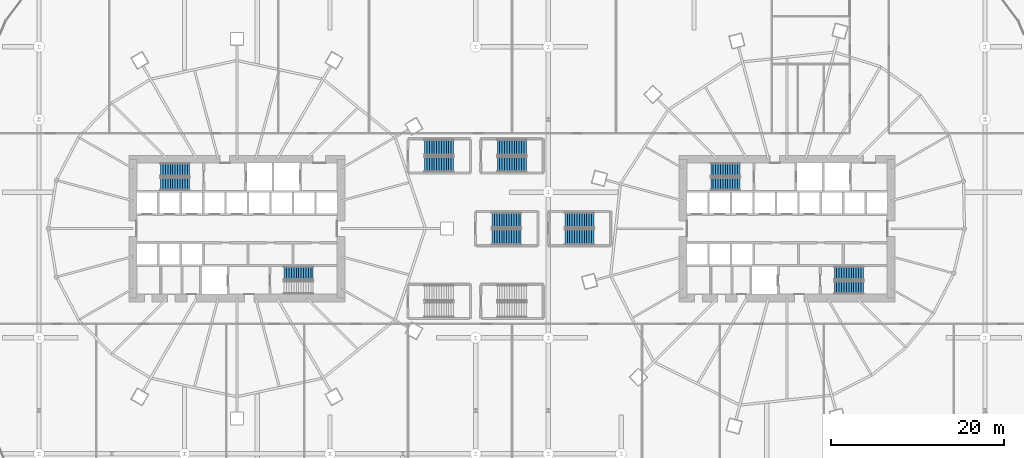
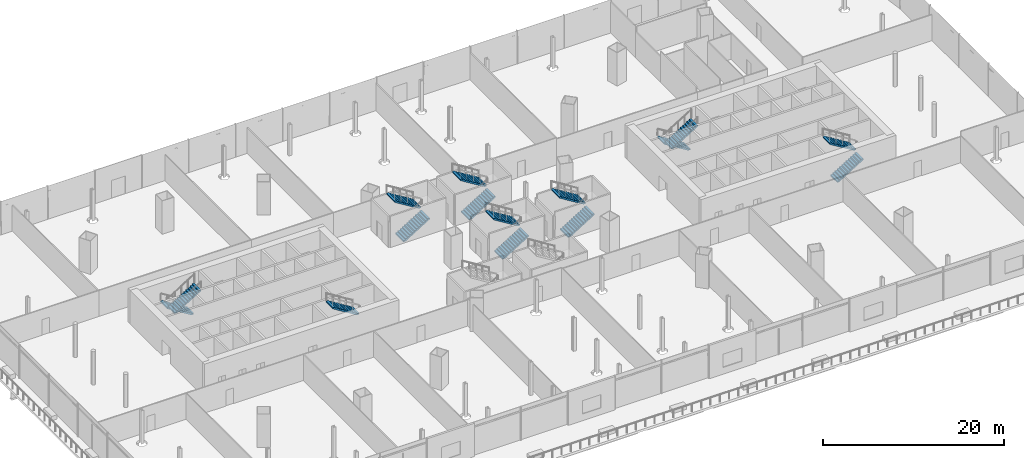
# One storey, part 45 of 56: 15 stair flights, 8 elements without a shape of their own.
"""IFC4 building model written with IfcOpenShell, lengths in metres."""

from ifc_helpers import new_model, si_unit, direction, frame, origin, place, context, subcontext, project, spatial, polyline, outline, extrude, material, type_object, element, aggregate, save


model = new_model("IFC4")

# Units and contexts
model_context = context("Model", 3, precision=1e-05, world=origin(), true_north=direction((0.0, 1.0)))
body_context = subcontext(model_context, "Body", "Model", "MODEL_VIEW")
ifc_project = project(units=[si_unit("LENGTHUNIT", "METRE"), si_unit("AREAUNIT", "SQUARE_METRE"), si_unit("VOLUMEUNIT", "CUBIC_METRE"), si_unit("PLANEANGLEUNIT", "RADIAN"), si_unit("MASSUNIT", "GRAM", prefix="KILO")], contexts=[model_context])

# Site, building, storey
site_placement = place(None, origin())
site = spatial("IfcSite", under=ifc_project, at=site_placement, CompositionType="ELEMENT")
building_placement = place(site_placement, origin())
building = spatial("IfcBuilding", under=site, at=building_placement, Name="Rimbun Link Towers", CompositionType="ELEMENT")
storey_placement = place(building_placement, frame((0.0, 0.0, 16.5)))
storey = spatial("IfcBuildingStorey", under=building, at=storey_placement, Name="L03", CompositionType="ELEMENT", Elevation=16.5)

# Stair, stair flights
ifc_material_1 = material(Name="Concrete C40/50", Category="concrete")
stair_type_1 = type_object("IfcStairType", Name="Exit stair 4500 rise", PredefinedType="HALF_TURN_STAIR", material=ifc_material_1)
stair_1_placement = place(storey_placement, origin())
stair_1 = element("IfcStair", 1, at=stair_1_placement, inside=storey, type_object=stair_type_1, Name="L03 EXIT STAIR A", PredefinedType="HALF_TURN_STAIR")
ifc_material_2 = material(Name="Concrete C40/50", Category="concrete")
stair_flight_type_1 = type_object("IfcStairFlightType", Name="Exit stair flight 4500 rise", PredefinedType="STRAIGHT", material=ifc_material_2)
stair_flight_1_placement = place(storey_placement, frame((-37.199951171875, 6.800048828125, 0.0), z_axis=(0.0, 0.0, 1.0), x_axis=(-1.0, 0.0, 0.0)))
stair_flight_1 = element("IfcStairFlight", 2, at=stair_flight_1_placement, type_object=stair_flight_type_1, Name="ST1 flight 1", NumberOfRisers=13, NumberOfTreads=12, PredefinedType="STRAIGHT", RiserHeight=0.173076923, TreadLength=0.28, context=body_context, shape_type="SweptSolid", body=[
    extrude(outline(polyline([(0.0, 0.0), (0.0, 0.173095703125), (0.280029296875, 0.173095703125), (0.280029296875, 0.34619140625), (0.56005859375, 0.34619140625), (0.56005859375, 0.519287109375), (0.840087890625, 0.519287109375), (0.840087890625, 0.6923828125), (1.1201171875, 0.6923828125), (1.1201171875, 0.865478515625), (1.39990234375, 0.865478515625), (1.39990234375, 1.03857421875), (1.679931640625, 1.03857421875), (1.679931640625, 1.21142578125), (1.9599609375, 1.21142578125), (1.9599609375, 1.384521484375), (2.239990234375, 1.384521484375), (2.239990234375, 1.5576171875), (2.52001953125, 1.5576171875), (2.52001953125, 1.730712890625), (2.800048828125, 1.730712890625), (2.800048828125, 1.90380859375), (3.080078125, 1.90380859375), (3.080078125, 2.076904296875), (3.360107421875, 2.076904296875), (3.360107421875, 2.25), (3.360107421875, 1.900634765625), (0.280029296875, 0.0), (0.0, 0.0)])), frame((0.0, 0.75, 0.0), z_axis=(0.0, -1.0, 0.0), x_axis=(1.0, 0.0, 0.0)), (0.0, 0.0, 1.0), 1.5),
])
stair_flight_2_placement = place(storey_placement, frame((-40.56005859375, 5.14990234375, 2.25), z_axis=(0.0, 0.0, 1.0), x_axis=(1.0, 0.0, 0.0)))
stair_flight_2 = element("IfcStairFlight", 3, at=stair_flight_2_placement, type_object=stair_flight_type_1, Name="ST1 flight 2", NumberOfRisers=13, NumberOfTreads=12, PredefinedType="STRAIGHT", RiserHeight=0.173076923, TreadLength=0.28, context=body_context, shape_type="SweptSolid", body=[
    extrude(outline(polyline([(0.0, 0.0), (0.0, 0.173095703125), (0.280029296875, 0.173095703125), (0.280029296875, 0.34619140625), (0.56005859375, 0.34619140625), (0.56005859375, 0.519287109375), (0.840087890625, 0.519287109375), (0.840087890625, 0.6923828125), (1.1201171875, 0.6923828125), (1.1201171875, 0.865478515625), (1.39990234375, 0.865478515625), (1.39990234375, 1.03857421875), (1.679931640625, 1.03857421875), (1.679931640625, 1.21142578125), (1.9599609375, 1.21142578125), (1.9599609375, 1.384521484375), (2.239990234375, 1.384521484375), (2.239990234375, 1.5576171875), (2.52001953125, 1.5576171875), (2.52001953125, 1.730712890625), (2.800048828125, 1.730712890625), (2.800048828125, 1.90380859375), (3.080078125, 1.90380859375), (3.080078125, 2.076904296875), (3.360107421875, 2.076904296875), (3.360107421875, 2.25), (3.360107421875, 1.900634765625), (0.280029296875, 0.0), (0.0, 0.0)])), frame((0.0, 0.75, 0.0), z_axis=(0.0, -1.0, 0.0), x_axis=(1.0, 0.0, 0.0)), (0.0, 0.0, 1.0), 1.5),
])
aggregate(stair_1, [stair_flight_1, stair_flight_2])

# Stair, stair flight
stair_2_placement = place(storey_placement, origin())
stair_2 = element("IfcStair", 4, at=stair_2_placement, inside=storey, type_object=stair_type_1, Name="L03 EXIT STAIR B", PredefinedType="HALF_TURN_STAIR")
stair_flight_3_placement = place(storey_placement, frame((-22.93994140625, -5.14990234375, 2.25), z_axis=(0.0, 0.0, 1.0), x_axis=(-1.0, 0.0, 0.0)))
stair_flight_3 = element("IfcStairFlight", 5, at=stair_flight_3_placement, type_object=stair_flight_type_1, Name="ST2 flight 2", NumberOfRisers=13, NumberOfTreads=12, PredefinedType="STRAIGHT", RiserHeight=0.173076923, TreadLength=0.28, context=body_context, shape_type="SweptSolid", body=[
    extrude(outline(polyline([(0.0, 0.0), (0.0, 0.173095703125), (0.280029296875, 0.173095703125), (0.280029296875, 0.34619140625), (0.56005859375, 0.34619140625), (0.56005859375, 0.519287109375), (0.840087890625, 0.519287109375), (0.840087890625, 0.6923828125), (1.1201171875, 0.6923828125), (1.1201171875, 0.865478515625), (1.39990234375, 0.865478515625), (1.39990234375, 1.03857421875), (1.679931640625, 1.03857421875), (1.679931640625, 1.21142578125), (1.9599609375, 1.21142578125), (1.9599609375, 1.384521484375), (2.239990234375, 1.384521484375), (2.239990234375, 1.5576171875), (2.52001953125, 1.5576171875), (2.52001953125, 1.730712890625), (2.800048828125, 1.730712890625), (2.800048828125, 1.90380859375), (3.080078125, 1.90380859375), (3.080078125, 2.076904296875), (3.360107421875, 2.076904296875), (3.360107421875, 2.25), (3.360107421875, 1.900634765625), (0.280029296875, 0.0), (0.0, 0.0)])), frame((0.0, 0.75, 0.0), z_axis=(0.0, -1.0, 0.0), x_axis=(1.0, 0.0, 0.0)), (0.0, 0.0, 1.0), 1.5),
])
aggregate(stair_2, [stair_flight_3])

# Stair, stair flights
stair_3_placement = place(storey_placement, origin())
stair_3 = element("IfcStair", 6, at=stair_3_placement, inside=storey, type_object=stair_type_1, Name="L03 EXIT STAIR A", PredefinedType="HALF_TURN_STAIR")
stair_flight_4_placement = place(storey_placement, frame((26.300048828125, 6.800048828125, 0.0), z_axis=(0.0, 0.0, 1.0), x_axis=(-1.0, 0.0, 0.0)))
stair_flight_4 = element("IfcStairFlight", 7, at=stair_flight_4_placement, type_object=stair_flight_type_1, Name="ST3 flight 1", NumberOfRisers=13, NumberOfTreads=12, PredefinedType="STRAIGHT", RiserHeight=0.173076923, TreadLength=0.28, context=body_context, shape_type="SweptSolid", body=[
    extrude(outline(polyline([(0.0, 0.0), (0.0, 0.173095703125), (0.280029296875, 0.173095703125), (0.280029296875, 0.34619140625), (0.56005859375, 0.34619140625), (0.56005859375, 0.519287109375), (0.840087890625, 0.519287109375), (0.840087890625, 0.6923828125), (1.1201171875, 0.6923828125), (1.1201171875, 0.865478515625), (1.39990234375, 0.865478515625), (1.39990234375, 1.03857421875), (1.679931640625, 1.03857421875), (1.679931640625, 1.21142578125), (1.9599609375, 1.21142578125), (1.9599609375, 1.384521484375), (2.239990234375, 1.384521484375), (2.239990234375, 1.5576171875), (2.52001953125, 1.5576171875), (2.52001953125, 1.730712890625), (2.800048828125, 1.730712890625), (2.800048828125, 1.90380859375), (3.080078125, 1.90380859375), (3.080078125, 2.076904296875), (3.360107421875, 2.076904296875), (3.360107421875, 2.25), (3.360107421875, 1.900634765625), (0.280029296875, 0.0), (0.0, 0.0)])), frame((0.0, 0.75, 0.0), z_axis=(0.0, -1.0, 0.0), x_axis=(1.0, 0.0, 0.0)), (0.0, 0.0, 1.0), 1.5),
])
stair_flight_5_placement = place(storey_placement, frame((22.93994140625, 5.14990234375, 2.25), z_axis=(0.0, 0.0, 1.0), x_axis=(1.0, 0.0, 0.0)))
stair_flight_5 = element("IfcStairFlight", 8, at=stair_flight_5_placement, type_object=stair_flight_type_1, Name="ST3 flight 2", NumberOfRisers=13, NumberOfTreads=12, PredefinedType="STRAIGHT", RiserHeight=0.173076923, TreadLength=0.28, context=body_context, shape_type="SweptSolid", body=[
    extrude(outline(polyline([(0.0, 0.0), (0.0, 0.173095703125), (0.280029296875, 0.173095703125), (0.280029296875, 0.34619140625), (0.56005859375, 0.34619140625), (0.56005859375, 0.519287109375), (0.840087890625, 0.519287109375), (0.840087890625, 0.6923828125), (1.1201171875, 0.6923828125), (1.1201171875, 0.865478515625), (1.39990234375, 0.865478515625), (1.39990234375, 1.03857421875), (1.679931640625, 1.03857421875), (1.679931640625, 1.21142578125), (1.9599609375, 1.21142578125), (1.9599609375, 1.384521484375), (2.239990234375, 1.384521484375), (2.239990234375, 1.5576171875), (2.52001953125, 1.5576171875), (2.52001953125, 1.730712890625), (2.800048828125, 1.730712890625), (2.800048828125, 1.90380859375), (3.080078125, 1.90380859375), (3.080078125, 2.076904296875), (3.360107421875, 2.076904296875), (3.360107421875, 2.25), (3.360107421875, 1.900634765625), (0.280029296875, 0.0), (0.0, 0.0)])), frame((0.0, 0.75, 0.0), z_axis=(0.0, -1.0, 0.0), x_axis=(1.0, 0.0, 0.0)), (0.0, 0.0, 1.0), 1.5),
])
aggregate(stair_3, [stair_flight_4, stair_flight_5])

stair_4_placement = place(storey_placement, origin())
stair_4 = element("IfcStair", 9, at=stair_4_placement, inside=storey, type_object=stair_type_1, Name="L03 EXIT STAIR B", PredefinedType="HALF_TURN_STAIR")
stair_flight_6_placement = place(storey_placement, frame((37.199951171875, -6.800048828125, 0.0), z_axis=(0.0, 0.0, 1.0), x_axis=(1.0, 0.0, 0.0)))
stair_flight_6 = element("IfcStairFlight", 10, at=stair_flight_6_placement, type_object=stair_flight_type_1, Name="ST4 flight 1", NumberOfRisers=13, NumberOfTreads=12, PredefinedType="STRAIGHT", RiserHeight=0.173076923, TreadLength=0.28, context=body_context, shape_type="SweptSolid", body=[
    extrude(outline(polyline([(0.0, 0.0), (0.0, 0.173095703125), (0.280029296875, 0.173095703125), (0.280029296875, 0.34619140625), (0.56005859375, 0.34619140625), (0.56005859375, 0.519287109375), (0.840087890625, 0.519287109375), (0.840087890625, 0.6923828125), (1.1201171875, 0.6923828125), (1.1201171875, 0.865478515625), (1.39990234375, 0.865478515625), (1.39990234375, 1.03857421875), (1.679931640625, 1.03857421875), (1.679931640625, 1.21142578125), (1.9599609375, 1.21142578125), (1.9599609375, 1.384521484375), (2.239990234375, 1.384521484375), (2.239990234375, 1.5576171875), (2.52001953125, 1.5576171875), (2.52001953125, 1.730712890625), (2.800048828125, 1.730712890625), (2.800048828125, 1.90380859375), (3.080078125, 1.90380859375), (3.080078125, 2.076904296875), (3.360107421875, 2.076904296875), (3.360107421875, 2.25), (3.360107421875, 1.900634765625), (0.280029296875, 0.0), (0.0, 0.0)])), frame((0.0, 0.75, 0.0), z_axis=(0.0, -1.0, 0.0), x_axis=(1.0, 0.0, 0.0)), (0.0, 0.0, 1.0), 1.5),
])
stair_flight_7_placement = place(storey_placement, frame((40.56005859375, -5.14990234375, 2.25), z_axis=(0.0, 0.0, 1.0), x_axis=(-1.0, 0.0, 0.0)))
stair_flight_7 = element("IfcStairFlight", 11, at=stair_flight_7_placement, type_object=stair_flight_type_1, Name="ST4 flight 2", NumberOfRisers=13, NumberOfTreads=12, PredefinedType="STRAIGHT", RiserHeight=0.173076923, TreadLength=0.28, context=body_context, shape_type="SweptSolid", body=[
    extrude(outline(polyline([(0.0, 0.0), (0.0, 0.173095703125), (0.280029296875, 0.173095703125), (0.280029296875, 0.34619140625), (0.56005859375, 0.34619140625), (0.56005859375, 0.519287109375), (0.840087890625, 0.519287109375), (0.840087890625, 0.6923828125), (1.1201171875, 0.6923828125), (1.1201171875, 0.865478515625), (1.39990234375, 0.865478515625), (1.39990234375, 1.03857421875), (1.679931640625, 1.03857421875), (1.679931640625, 1.21142578125), (1.9599609375, 1.21142578125), (1.9599609375, 1.384521484375), (2.239990234375, 1.384521484375), (2.239990234375, 1.5576171875), (2.52001953125, 1.5576171875), (2.52001953125, 1.730712890625), (2.800048828125, 1.730712890625), (2.800048828125, 1.90380859375), (3.080078125, 1.90380859375), (3.080078125, 2.076904296875), (3.360107421875, 2.076904296875), (3.360107421875, 2.25), (3.360107421875, 1.900634765625), (0.280029296875, 0.0), (0.0, 0.0)])), frame((0.0, 0.75, 0.0), z_axis=(0.0, -1.0, 0.0), x_axis=(1.0, 0.0, 0.0)), (0.0, 0.0, 1.0), 1.5),
])
aggregate(stair_4, [stair_flight_6, stair_flight_7])

ifc_material_3 = material(Name="Concrete C40/50", Category="concrete")
stair_type_2 = type_object("IfcStairType", Name="Podium exit stair 1800", PredefinedType="HALF_TURN_STAIR", material=ifc_material_3)
stair_5_placement = place(storey_placement, origin())
stair_5 = element("IfcStair", 12, at=stair_5_placement, inside=storey, type_object=stair_type_2, Name="L03 PODIUM EXIT STAIR", PredefinedType="HALF_TURN_STAIR")
ifc_material_4 = material(Name="Concrete C40/50", Category="concrete")
stair_flight_type_2 = type_object("IfcStairFlightType", Name="Podium exit stair flight 1800", PredefinedType="STRAIGHT", material=ifc_material_4)
stair_flight_8_placement = place(storey_placement, frame((-10.10009765625, 7.425048828125, 0.0), z_axis=(0.0, 0.0, 1.0), x_axis=(1.0, 0.0, 0.0)))
stair_flight_8 = element("IfcStairFlight", 13, at=stair_flight_8_placement, type_object=stair_flight_type_2, Name="PS3 flight 1", NumberOfRisers=13, NumberOfTreads=12, PredefinedType="STRAIGHT", RiserHeight=0.173076923, TreadLength=0.28, context=body_context, shape_type="SweptSolid", body=[
    extrude(outline(polyline([(0.0, 0.0), (0.0, 0.173095703125), (0.280029296875, 0.173095703125), (0.280029296875, 0.34619140625), (0.56005859375, 0.34619140625), (0.56005859375, 0.519287109375), (0.840087890625, 0.519287109375), (0.840087890625, 0.6923828125), (1.1201171875, 0.6923828125), (1.1201171875, 0.865478515625), (1.39990234375, 0.865478515625), (1.39990234375, 1.03857421875), (1.679931640625, 1.03857421875), (1.679931640625, 1.21142578125), (1.9599609375, 1.21142578125), (1.9599609375, 1.384521484375), (2.239990234375, 1.384521484375), (2.239990234375, 1.5576171875), (2.52001953125, 1.5576171875), (2.52001953125, 1.730712890625), (2.800048828125, 1.730712890625), (2.800048828125, 1.90380859375), (3.080078125, 1.90380859375), (3.080078125, 2.076904296875), (3.360107421875, 2.076904296875), (3.360107421875, 2.25), (3.360107421875, 1.900634765625), (0.280029296875, 0.0), (0.0, 0.0)])), frame((0.0, 0.89990234375, 0.0), z_axis=(0.0, -1.0, 0.0), x_axis=(1.0, 0.0, 0.0)), (0.0, 0.0, 1.0), 1.800048828125),
])
stair_flight_9_placement = place(storey_placement, frame((-6.739990234375, 9.375, 2.25), z_axis=(0.0, 0.0, 1.0), x_axis=(-1.0, 0.0, 0.0)))
stair_flight_9 = element("IfcStairFlight", 14, at=stair_flight_9_placement, type_object=stair_flight_type_2, Name="PS3 flight 2", NumberOfRisers=13, NumberOfTreads=12, PredefinedType="STRAIGHT", RiserHeight=0.173076923, TreadLength=0.28, context=body_context, shape_type="SweptSolid", body=[
    extrude(outline(polyline([(0.0, 0.0), (0.0, 0.173095703125), (0.280029296875, 0.173095703125), (0.280029296875, 0.34619140625), (0.56005859375, 0.34619140625), (0.56005859375, 0.519287109375), (0.840087890625, 0.519287109375), (0.840087890625, 0.6923828125), (1.1201171875, 0.6923828125), (1.1201171875, 0.865478515625), (1.39990234375, 0.865478515625), (1.39990234375, 1.03857421875), (1.679931640625, 1.03857421875), (1.679931640625, 1.21142578125), (1.9599609375, 1.21142578125), (1.9599609375, 1.384521484375), (2.239990234375, 1.384521484375), (2.239990234375, 1.5576171875), (2.52001953125, 1.5576171875), (2.52001953125, 1.730712890625), (2.800048828125, 1.730712890625), (2.800048828125, 1.90380859375), (3.080078125, 1.90380859375), (3.080078125, 2.076904296875), (3.360107421875, 2.076904296875), (3.360107421875, 2.25), (3.360107421875, 1.900634765625), (0.280029296875, 0.0), (0.0, 0.0)])), frame((0.0, 0.89990234375, 0.0), z_axis=(0.0, -1.0, 0.0), x_axis=(1.0, 0.0, 0.0)), (0.0, 0.0, 1.0), 1.800048828125),
])
aggregate(stair_5, [stair_flight_8, stair_flight_9])

stair_6_placement = place(storey_placement, origin())
stair_6 = element("IfcStair", 15, at=stair_6_placement, inside=storey, type_object=stair_type_2, Name="L03 PODIUM EXIT STAIR", PredefinedType="HALF_TURN_STAIR")
stair_flight_10_placement = place(storey_placement, frame((-1.699951171875, 7.425048828125, 0.0), z_axis=(0.0, 0.0, 1.0), x_axis=(1.0, 0.0, 0.0)))
stair_flight_10 = element("IfcStairFlight", 16, at=stair_flight_10_placement, type_object=stair_flight_type_2, Name="PS4 flight 1", NumberOfRisers=13, NumberOfTreads=12, PredefinedType="STRAIGHT", RiserHeight=0.173076923, TreadLength=0.28, context=body_context, shape_type="SweptSolid", body=[
    extrude(outline(polyline([(0.0, 0.0), (0.0, 0.173095703125), (0.280029296875, 0.173095703125), (0.280029296875, 0.34619140625), (0.56005859375, 0.34619140625), (0.56005859375, 0.519287109375), (0.840087890625, 0.519287109375), (0.840087890625, 0.6923828125), (1.1201171875, 0.6923828125), (1.1201171875, 0.865478515625), (1.39990234375, 0.865478515625), (1.39990234375, 1.03857421875), (1.679931640625, 1.03857421875), (1.679931640625, 1.21142578125), (1.9599609375, 1.21142578125), (1.9599609375, 1.384521484375), (2.239990234375, 1.384521484375), (2.239990234375, 1.5576171875), (2.52001953125, 1.5576171875), (2.52001953125, 1.730712890625), (2.800048828125, 1.730712890625), (2.800048828125, 1.90380859375), (3.080078125, 1.90380859375), (3.080078125, 2.076904296875), (3.360107421875, 2.076904296875), (3.360107421875, 2.25), (3.360107421875, 1.900634765625), (0.280029296875, 0.0), (0.0, 0.0)])), frame((0.0, 0.89990234375, 0.0), z_axis=(0.0, -1.0, 0.0), x_axis=(1.0, 0.0, 0.0)), (0.0, 0.0, 1.0), 1.800048828125),
])
stair_flight_11_placement = place(storey_placement, frame((1.659912109375, 9.375, 2.25), z_axis=(0.0, 0.0, 1.0), x_axis=(-1.0, 0.0, 0.0)))
stair_flight_11 = element("IfcStairFlight", 17, at=stair_flight_11_placement, type_object=stair_flight_type_2, Name="PS4 flight 2", NumberOfRisers=13, NumberOfTreads=12, PredefinedType="STRAIGHT", RiserHeight=0.173076923, TreadLength=0.28, context=body_context, shape_type="SweptSolid", body=[
    extrude(outline(polyline([(0.0, 0.0), (0.0, 0.173095703125), (0.280029296875, 0.173095703125), (0.280029296875, 0.34619140625), (0.56005859375, 0.34619140625), (0.56005859375, 0.519287109375), (0.840087890625, 0.519287109375), (0.840087890625, 0.6923828125), (1.1201171875, 0.6923828125), (1.1201171875, 0.865478515625), (1.39990234375, 0.865478515625), (1.39990234375, 1.03857421875), (1.679931640625, 1.03857421875), (1.679931640625, 1.21142578125), (1.9599609375, 1.21142578125), (1.9599609375, 1.384521484375), (2.239990234375, 1.384521484375), (2.239990234375, 1.5576171875), (2.52001953125, 1.5576171875), (2.52001953125, 1.730712890625), (2.800048828125, 1.730712890625), (2.800048828125, 1.90380859375), (3.080078125, 1.90380859375), (3.080078125, 2.076904296875), (3.360107421875, 2.076904296875), (3.360107421875, 2.25), (3.360107421875, 1.900634765625), (0.280029296875, 0.0), (0.0, 0.0)])), frame((0.0, 0.89990234375, 0.0), z_axis=(0.0, -1.0, 0.0), x_axis=(1.0, 0.0, 0.0)), (0.0, 0.0, 1.0), 1.800048828125),
])
aggregate(stair_6, [stair_flight_10, stair_flight_11])

stair_7_placement = place(storey_placement, origin())
stair_7 = element("IfcStair", 18, at=stair_7_placement, inside=storey, type_object=stair_type_2, Name="L03 PODIUM EXIT STAIR", PredefinedType="HALF_TURN_STAIR")
stair_flight_12_placement = place(storey_placement, frame((6.10009765625, -0.97509765625, 0.0), z_axis=(0.0, 0.0, 1.0), x_axis=(1.0, 0.0, 0.0)))
stair_flight_12 = element("IfcStairFlight", 19, at=stair_flight_12_placement, type_object=stair_flight_type_2, Name="PS5 flight 1", NumberOfRisers=13, NumberOfTreads=12, PredefinedType="STRAIGHT", RiserHeight=0.173076923, TreadLength=0.28, context=body_context, shape_type="SweptSolid", body=[
    extrude(outline(polyline([(0.0, 0.0), (0.0, 0.173095703125), (0.280029296875, 0.173095703125), (0.280029296875, 0.34619140625), (0.56005859375, 0.34619140625), (0.56005859375, 0.519287109375), (0.840087890625, 0.519287109375), (0.840087890625, 0.6923828125), (1.1201171875, 0.6923828125), (1.1201171875, 0.865478515625), (1.39990234375, 0.865478515625), (1.39990234375, 1.03857421875), (1.679931640625, 1.03857421875), (1.679931640625, 1.21142578125), (1.9599609375, 1.21142578125), (1.9599609375, 1.384521484375), (2.239990234375, 1.384521484375), (2.239990234375, 1.5576171875), (2.52001953125, 1.5576171875), (2.52001953125, 1.730712890625), (2.800048828125, 1.730712890625), (2.800048828125, 1.90380859375), (3.080078125, 1.90380859375), (3.080078125, 2.076904296875), (3.360107421875, 2.076904296875), (3.360107421875, 2.25), (3.360107421875, 1.900634765625), (0.280029296875, 0.0), (0.0, 0.0)])), frame((0.0, 0.89990234375, 0.0), z_axis=(0.0, -1.0, 0.0), x_axis=(1.0, 0.0, 0.0)), (0.0, 0.0, 1.0), 1.800048828125),
])
stair_flight_13_placement = place(storey_placement, frame((9.4599609375, 0.97509765625, 2.25), z_axis=(0.0, 0.0, 1.0), x_axis=(-1.0, 0.0, 0.0)))
stair_flight_13 = element("IfcStairFlight", 20, at=stair_flight_13_placement, type_object=stair_flight_type_2, Name="PS5 flight 2", NumberOfRisers=13, NumberOfTreads=12, PredefinedType="STRAIGHT", RiserHeight=0.173076923, TreadLength=0.28, context=body_context, shape_type="SweptSolid", body=[
    extrude(outline(polyline([(0.0, 0.0), (0.0, 0.173095703125), (0.280029296875, 0.173095703125), (0.280029296875, 0.34619140625), (0.56005859375, 0.34619140625), (0.56005859375, 0.519287109375), (0.840087890625, 0.519287109375), (0.840087890625, 0.6923828125), (1.1201171875, 0.6923828125), (1.1201171875, 0.865478515625), (1.39990234375, 0.865478515625), (1.39990234375, 1.03857421875), (1.679931640625, 1.03857421875), (1.679931640625, 1.21142578125), (1.9599609375, 1.21142578125), (1.9599609375, 1.384521484375), (2.239990234375, 1.384521484375), (2.239990234375, 1.5576171875), (2.52001953125, 1.5576171875), (2.52001953125, 1.730712890625), (2.800048828125, 1.730712890625), (2.800048828125, 1.90380859375), (3.080078125, 1.90380859375), (3.080078125, 2.076904296875), (3.360107421875, 2.076904296875), (3.360107421875, 2.25), (3.360107421875, 1.900634765625), (0.280029296875, 0.0), (0.0, 0.0)])), frame((0.0, 0.89990234375, 0.0), z_axis=(0.0, -1.0, 0.0), x_axis=(1.0, 0.0, 0.0)), (0.0, 0.0, 1.0), 1.800048828125),
])
aggregate(stair_7, [stair_flight_12, stair_flight_13])

stair_8_placement = place(storey_placement, origin())
stair_8 = element("IfcStair", 21, at=stair_8_placement, inside=storey, type_object=stair_type_2, Name="L03 PODIUM EXIT STAIR", PredefinedType="HALF_TURN_STAIR")
stair_flight_14_placement = place(storey_placement, frame((-2.300048828125, -0.97509765625, 0.0), z_axis=(0.0, 0.0, 1.0), x_axis=(1.0, 0.0, 0.0)))
stair_flight_14 = element("IfcStairFlight", 22, at=stair_flight_14_placement, type_object=stair_flight_type_2, Name="PS6 flight 1", NumberOfRisers=13, NumberOfTreads=12, PredefinedType="STRAIGHT", RiserHeight=0.173076923, TreadLength=0.28, context=body_context, shape_type="SweptSolid", body=[
    extrude(outline(polyline([(0.0, 0.0), (0.0, 0.173095703125), (0.280029296875, 0.173095703125), (0.280029296875, 0.34619140625), (0.56005859375, 0.34619140625), (0.56005859375, 0.519287109375), (0.840087890625, 0.519287109375), (0.840087890625, 0.6923828125), (1.1201171875, 0.6923828125), (1.1201171875, 0.865478515625), (1.39990234375, 0.865478515625), (1.39990234375, 1.03857421875), (1.679931640625, 1.03857421875), (1.679931640625, 1.21142578125), (1.9599609375, 1.21142578125), (1.9599609375, 1.384521484375), (2.239990234375, 1.384521484375), (2.239990234375, 1.5576171875), (2.52001953125, 1.5576171875), (2.52001953125, 1.730712890625), (2.800048828125, 1.730712890625), (2.800048828125, 1.90380859375), (3.080078125, 1.90380859375), (3.080078125, 2.076904296875), (3.360107421875, 2.076904296875), (3.360107421875, 2.25), (3.360107421875, 1.900634765625), (0.280029296875, 0.0), (0.0, 0.0)])), frame((0.0, 0.89990234375, 0.0), z_axis=(0.0, -1.0, 0.0), x_axis=(1.0, 0.0, 0.0)), (0.0, 0.0, 1.0), 1.800048828125),
])
stair_flight_15_placement = place(storey_placement, frame((1.06005859375, 0.97509765625, 2.25), z_axis=(0.0, 0.0, 1.0), x_axis=(-1.0, 0.0, 0.0)))
stair_flight_15 = element("IfcStairFlight", 23, at=stair_flight_15_placement, type_object=stair_flight_type_2, Name="PS6 flight 2", NumberOfRisers=13, NumberOfTreads=12, PredefinedType="STRAIGHT", RiserHeight=0.173076923, TreadLength=0.28, context=body_context, shape_type="SweptSolid", body=[
    extrude(outline(polyline([(0.0, 0.0), (0.0, 0.173095703125), (0.280029296875, 0.173095703125), (0.280029296875, 0.34619140625), (0.56005859375, 0.34619140625), (0.56005859375, 0.519287109375), (0.840087890625, 0.519287109375), (0.840087890625, 0.6923828125), (1.1201171875, 0.6923828125), (1.1201171875, 0.865478515625), (1.39990234375, 0.865478515625), (1.39990234375, 1.03857421875), (1.679931640625, 1.03857421875), (1.679931640625, 1.21142578125), (1.9599609375, 1.21142578125), (1.9599609375, 1.384521484375), (2.239990234375, 1.384521484375), (2.239990234375, 1.5576171875), (2.52001953125, 1.5576171875), (2.52001953125, 1.730712890625), (2.800048828125, 1.730712890625), (2.800048828125, 1.90380859375), (3.080078125, 1.90380859375), (3.080078125, 2.076904296875), (3.360107421875, 2.076904296875), (3.360107421875, 2.25), (3.360107421875, 1.900634765625), (0.280029296875, 0.0), (0.0, 0.0)])), frame((0.0, 0.89990234375, 0.0), z_axis=(0.0, -1.0, 0.0), x_axis=(1.0, 0.0, 0.0)), (0.0, 0.0, 1.0), 1.800048828125),
])
aggregate(stair_8, [stair_flight_14, stair_flight_15])

save(model, "model.ifc")
